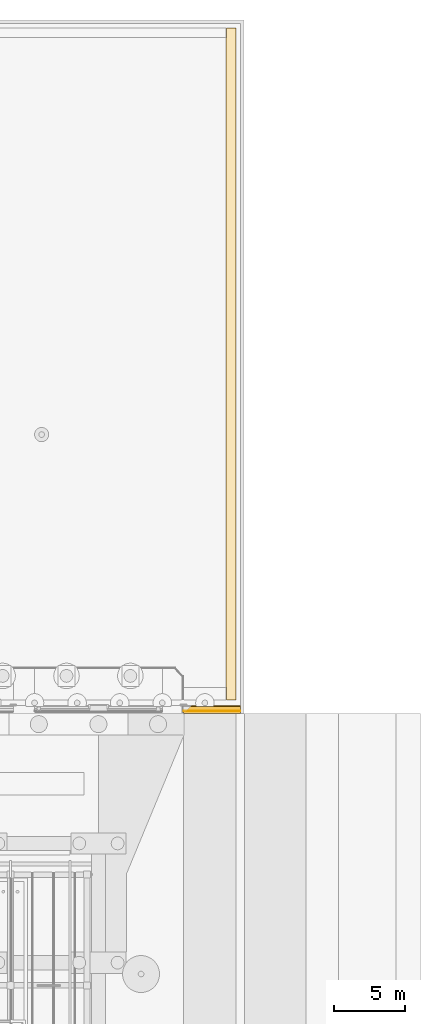
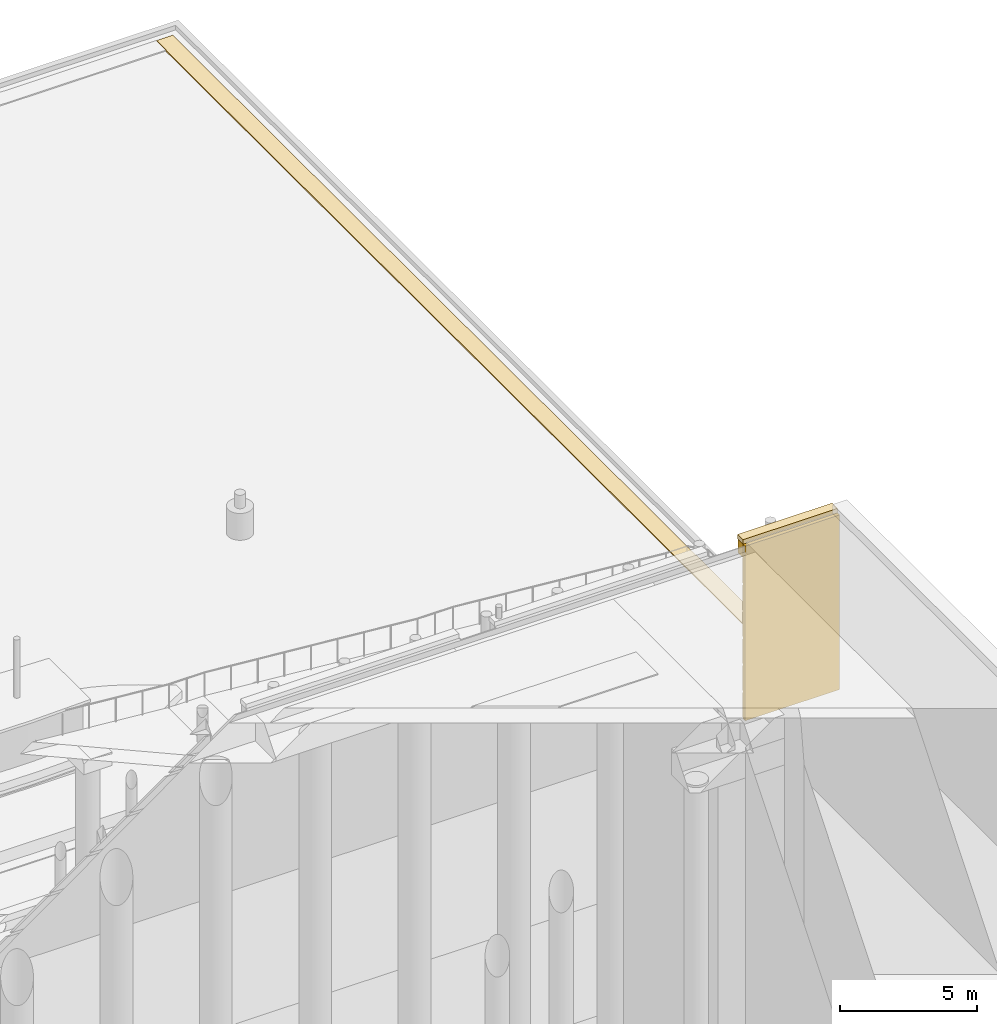
# One storey, part 205 of 222: 10 coverings.
"""IFC4 building model written with IfcOpenShell, lengths in metres."""

from ifc_helpers import new_model, si_unit, direction, frame, origin, place, context, subcontext, project, spatial, polyline, outline, extrude, material, layer, layer_set, type_object, element, save


model = new_model("IFC4")

# Units and contexts
model_context = context("Model", 3, precision=1e-05, world=origin(), true_north=direction((0.0, 1.0)))
body_context = subcontext(model_context, "Body", "Model", "MODEL_VIEW")
ifc_project = project(units=[si_unit("LENGTHUNIT", "METRE"), si_unit("AREAUNIT", "SQUARE_METRE"), si_unit("VOLUMEUNIT", "CUBIC_METRE"), si_unit("PLANEANGLEUNIT", "RADIAN"), si_unit("MASSUNIT", "GRAM", prefix="KILO")], contexts=[model_context])

# Site, building, storey
site_placement = place(None, origin())
site = spatial("IfcSite", under=ifc_project, at=site_placement, CompositionType="ELEMENT")
building_placement = place(site_placement, origin())
building = spatial("IfcBuilding", under=site, at=building_placement, Name="Sava Quay Ferry Terminal", CompositionType="ELEMENT")
storey_placement = place(building_placement, origin())
storey = spatial("IfcBuildingStorey", under=building, at=storey_placement, Name="L00", CompositionType="ELEMENT", Elevation=0.0)

# Coverings
ifc_material_1 = material(Name="Limestone Mutalj", Category="masonry")
ifc_layer_1 = layer(ifc_material_1, 0.39990234375)
ifc_layer_set_1 = layer_set([ifc_layer_1], Name="Limestone Mutalj")
covering_type_1 = type_object("IfcCoveringType", Name="Quay wall coping 400", PredefinedType="MOLDING", material=ifc_layer_set_1)
covering_1_placement = place(storey_placement, frame((0.0, 0.0, -0.199951171875)))
element("IfcCovering", 1, at=covering_1_placement, inside=storey, type_object=covering_type_1, Name="Quay wall coping", PredefinedType="MOLDING", context=body_context, shape_type="SweptSolid", body=[
    extrude(outline(polyline([(178.0, 118.5), (178.0, 118.89990234375), (174.0, 118.89990234375), (174.0, 118.5), (178.0, 118.5)])), origin(), (0.0, 0.0, 1.0), 0.199951171875),
])
ifc_material_2 = material(Name="Limestone Mutalj", Category="masonry")
ifc_layer_2 = layer(ifc_material_2, 0.35009765625)
ifc_layer_set_2 = layer_set([ifc_layer_2], Name="Limestone Mutalj")
covering_type_2 = type_object("IfcCoveringType", Name="Quay wall cornice 350", PredefinedType="MOLDING", material=ifc_layer_set_2)
covering_2_placement = place(storey_placement, frame((0.0, 0.0, -0.800048828125)))
element("IfcCovering", 2, at=covering_2_placement, inside=storey, type_object=covering_type_2, Name="Quay wall cornice", PredefinedType="MOLDING", context=body_context, shape_type="SweptSolid", body=[
    extrude(outline(polyline([(178.0, 118.5), (178.0, 118.85009765625), (174.0, 118.85009765625), (174.0, 118.5), (178.0, 118.5)])), origin(), (0.0, 0.0, 1.0), 0.60009765625),
])
ifc_material_3 = material(Name="Limestone Mutalj", Category="masonry")
ifc_layer_3 = layer(ifc_material_3, 0.14990234375)
ifc_layer_set_3 = layer_set([ifc_layer_3], Name="Limestone Mutalj")
covering_type_3 = type_object("IfcCoveringType", Name="Quay wall facing 150", PredefinedType="CLADDING", material=ifc_layer_set_3)
covering_3_placement = place(storey_placement, frame((0.0, 0.0, -8.0)))
element("IfcCovering", 3, at=covering_3_placement, inside=storey, type_object=covering_type_3, Name="Quay wall facing", PredefinedType="CLADDING", context=body_context, shape_type="SweptSolid", body=[
    extrude(outline(polyline([(178.0, 118.35009765625), (178.0, 118.5), (174.0, 118.5), (174.0, 118.35009765625), (178.0, 118.35009765625)])), origin(), (0.0, 0.0, 1.0), 7.800048828125),
])
ifc_material_4 = material(Name="Water")
ifc_layer_4 = layer(ifc_material_4, 0.050048828125)
ifc_layer_set_4 = layer_set([ifc_layer_4], Name="Water")
covering_type_4 = type_object("IfcCoveringType", Name="River foam line", PredefinedType="CLADDING", material=ifc_layer_set_4)
covering_4_placement = place(storey_placement, frame((0.0, 0.0, -8.0)))
element("IfcCovering", 4, at=covering_4_placement, inside=storey, type_object=covering_type_4, Name="River foam line", PredefinedType="CLADDING", context=body_context, shape_type="SweptSolid", body=[
    extrude(outline(polyline([(177.699951171875, 119.300048828125), (177.699951171875, 166.655029296875), (177.02001953125, 166.655029296875), (177.02001953125, 165.955078125), (177.01806640625, 165.947021484375), (177.013916015625, 165.94091796875), (177.008056640625, 165.93701171875), (177.0, 165.93505859375), (177.0, 120.219970703125), (177.008056640625, 120.218017578125), (177.013916015625, 120.214111328125), (177.01806640625, 120.2080078125), (177.02001953125, 120.199951171875), (177.02001953125, 119.300048828125), (177.699951171875, 119.300048828125)])), origin(), (0.0, 0.0, 1.0), 0.050048828125),
])
ifc_material_5 = material(Name="Limestone Mutalj", Category="masonry")
ifc_layer_5 = layer(ifc_material_5, 0.050048828125)
ifc_layer_set_5 = layer_set([ifc_layer_5], Name="Limestone Mutalj")
covering_type_5 = type_object("IfcCoveringType", Name="Rustication course 250", PredefinedType="MOLDING", material=ifc_layer_set_5)
covering_5_placement = place(storey_placement, frame((0.0, 0.0, -7.93994140625)))
element("IfcCovering", 5, at=covering_5_placement, inside=storey, type_object=covering_type_5, Name="Rustication course", PredefinedType="MOLDING", context=body_context, shape_type="SweptSolid", body=[
    extrude(outline(polyline([(178.0, 118.5), (178.0, 118.550048828125), (174.0, 118.550048828125), (174.0, 118.5), (178.0, 118.5)])), origin(), (0.0, 0.0, 1.0), 1.079833984375),
])
for number, where, name in (
    (6, (0.0, 0.0, -6.739990234375), "Rustication course"),
    (7, (0.0, 0.0, -5.5400390625), "Rustication course"),
    (8, (0.0, 0.0, -4.340087890625), "Rustication course"),
):
    element("IfcCovering", number, at=place(storey_placement, frame(where)), inside=storey, type_object=covering_type_5, Name=name, PredefinedType="MOLDING", context=body_context, shape_type="SweptSolid", body=[
        extrude(outline(polyline([(178.0, 118.5), (178.0, 118.550048828125), (174.0, 118.550048828125), (174.0, 118.5), (178.0, 118.5)])), origin(), (0.0, 0.0, 1.0), 1.080078125),
    ])
for number, where, name in (
    (9, (0.0, 0.0, -3.139892578125), "Rustication course"),
    (10, (0.0, 0.0, -1.93994140625), "Rustication course"),
):
    element("IfcCovering", number, at=place(storey_placement, frame(where)), inside=storey, type_object=covering_type_5, Name=name, PredefinedType="MOLDING", context=body_context, shape_type="SweptSolid", body=[
        extrude(outline(polyline([(178.0, 118.5), (178.0, 118.550048828125), (174.0, 118.550048828125), (174.0, 118.5), (178.0, 118.5)])), origin(), (0.0, 0.0, 1.0), 1.079833984375),
    ])

save(model, "model.ifc")
